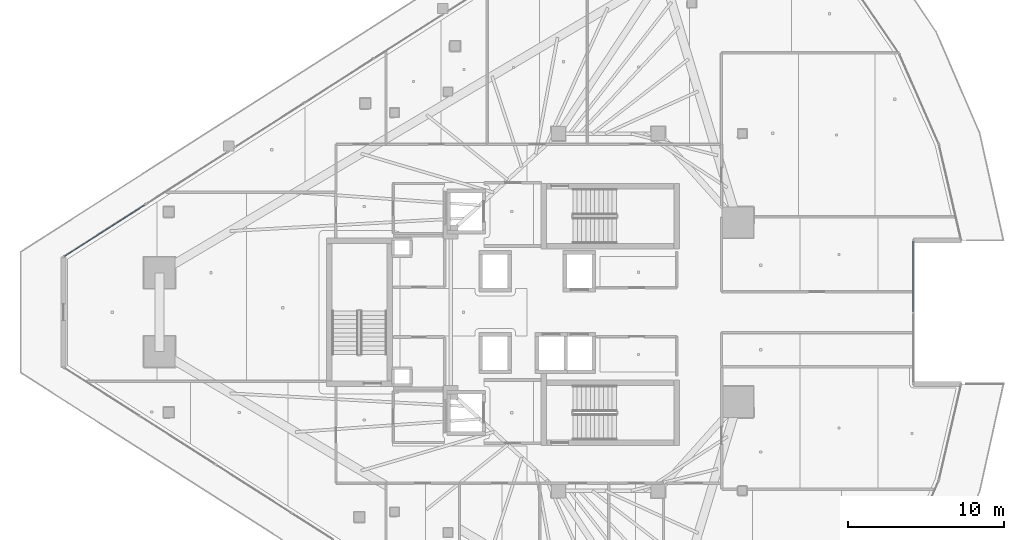
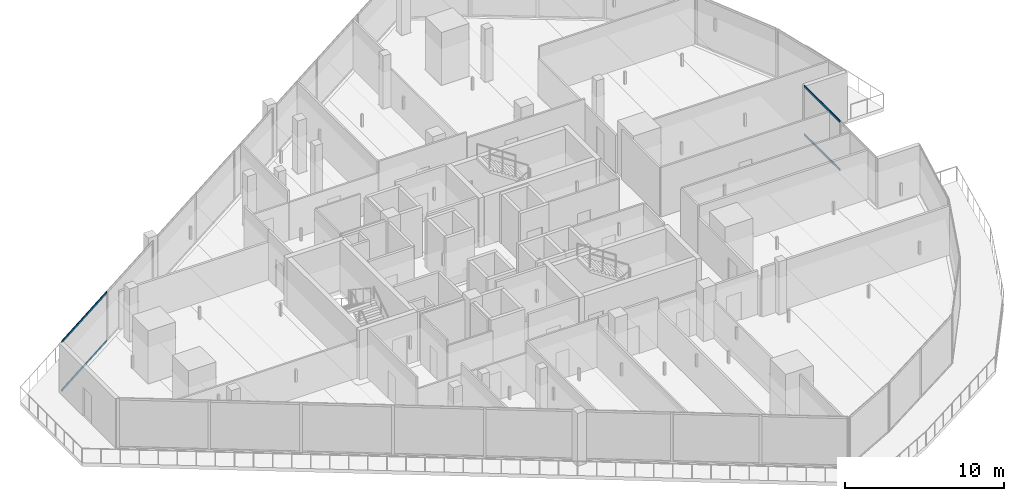
# One storey, part 14 of 37: 4 members, 2 elements without a shape of their own.
"""IFC4 building model written with IfcOpenShell, lengths in metres."""

from ifc_helpers import new_model, si_unit, direction, frame, origin, origin_2d, place, context, subcontext, project, spatial, hollow_rectangle, extrude, material, layer, layer_set, material_profile, profile_set, type_object, element, aggregate, save


model = new_model("IFC4")

# Units and contexts
model_context = context("Model", 3, precision=1e-05, world=origin(), true_north=direction((0.0, 1.0)))
body_context = subcontext(model_context, "Body", "Model", "MODEL_VIEW")
ifc_project = project(units=[si_unit("LENGTHUNIT", "METRE"), si_unit("AREAUNIT", "SQUARE_METRE"), si_unit("VOLUMEUNIT", "CUBIC_METRE"), si_unit("PLANEANGLEUNIT", "RADIAN"), si_unit("MASSUNIT", "GRAM", prefix="KILO")], contexts=[model_context])

# Site, building, storey
site_placement = place(None, origin())
site = spatial("IfcSite", under=ifc_project, at=site_placement, CompositionType="ELEMENT")
building_placement = place(site_placement, origin())
building = spatial("IfcBuilding", under=site, at=building_placement, Name="Qorvath Tower", CompositionType="ELEMENT")
storey_placement = place(building_placement, frame((0.0, 0.0, 188.85009765625)))
storey = spatial("IfcBuildingStorey", under=building, at=storey_placement, Name="L43", CompositionType="ELEMENT", Elevation=188.85009765625)

# Curtain wall, members
ifc_material_1 = material(Name="Anodised aluminium and triple low-E glass", Category="aluminium")
ifc_layer = layer(ifc_material_1, 0.179931640625)
ifc_layer_set = layer_set([ifc_layer], Name="CW-SYS-3")
curtain_wall_type = type_object("IfcCurtainWallType", Name="CW-SYS-3", PredefinedType="NOTDEFINED", material=ifc_layer_set)
curtain_wall_1_placement = place(storey_placement, origin())
curtain_wall_1 = element("IfcCurtainWall", 1, at=curtain_wall_1_placement, inside=storey, type_object=curtain_wall_type, Name="Curtain Wall CW-3 CW-T-L43-9.1", PredefinedType="NOTDEFINED")
ifc_material_2 = material(Name="Anodised aluminium 6063-T6", Category="aluminium")
ifc_material_profile = material_profile(ifc_material_2, hollow_rectangle(XDim=0.06494140625, YDim=0.159912109375, WallThickness=0.00341796875, InnerFilletRadius=0.00341796875, OuterFilletRadius=0.007080078125, at=origin_2d()), Name="CWT 160x65")
ifc_profile_set = profile_set([ifc_material_profile], Name="Anodised aluminium 6063-T6")
member_type = type_object("IfcMemberType", Name="CWT-160", PredefinedType="USERDEFINED", material=ifc_profile_set)
member_1_placement = place(storey_placement, frame((-0.83837890625, 0.032470703125, 0.032470703125), z_axis=(0.0, 1.0, 0.0), x_axis=(-1.0, 0.0, 0.0)))
member_1 = element("IfcMember", 2, at=member_1_placement, type_object=member_type, Name="CW-3 transom 2.1", ObjectType="TRANSOM", PredefinedType="USERDEFINED", context=body_context, shape_type="SweptSolid", body=[
    extrude(hollow_rectangle(XDim=0.06494140625, YDim=0.159912109375, WallThickness=0.00341796875, InnerFilletRadius=0.00341796875, OuterFilletRadius=0.007080078125, at=origin_2d()), origin(), (0.0, 0.0, 1.0), 4.50341796875),
])
member_2_placement = place(storey_placement, frame((-0.83837890625, 0.032470703125, 3.747314453125), z_axis=(0.0, 1.0, 0.0), x_axis=(-1.0, 0.0, 0.0)))
member_2 = element("IfcMember", 3, at=member_2_placement, type_object=member_type, Name="CW-3 transom 2.2", ObjectType="TRANSOM", PredefinedType="USERDEFINED", context=body_context, shape_type="SweptSolid", body=[
    extrude(hollow_rectangle(XDim=0.06494140625, YDim=0.159912109375, WallThickness=0.00341796875, InnerFilletRadius=0.00341796875, OuterFilletRadius=0.007080078125, at=origin_2d()), origin(), (0.0, 0.0, 1.0), 4.50341796875),
])
aggregate(curtain_wall_1, [member_1, member_2])

curtain_wall_2_placement = place(storey_placement, origin())
curtain_wall_2 = element("IfcCurtainWall", 4, at=curtain_wall_2_placement, inside=storey, type_object=curtain_wall_type, Name="Curtain Wall CW-3 CW-T-L43-16.3", PredefinedType="NOTDEFINED")
member_3_placement = place(storey_placement, frame((-50.080322265625, 6.893310546875, 0.032470703125), z_axis=(-0.842627354039, -0.538497114408, 0.0), x_axis=(0.538497114408, -0.842627354039, 0.0)))
member_3 = element("IfcMember", 5, at=member_3_placement, type_object=member_type, Name="CW-3 transom 2.1", ObjectType="TRANSOM", PredefinedType="USERDEFINED", context=body_context, shape_type="SweptSolid", body=[
    extrude(hollow_rectangle(XDim=0.06494140625, YDim=0.159912109375, WallThickness=0.00341796875, InnerFilletRadius=0.00341796875, OuterFilletRadius=0.007080078125, at=origin_2d()), origin(), (0.0, 0.0, 1.0), 6.16259765625),
])
member_4_placement = place(storey_placement, frame((-50.080322265625, 6.893310546875, 3.747314453125), z_axis=(-0.842627354039, -0.538497114408, 0.0), x_axis=(0.538497114408, -0.842627354039, 0.0)))
member_4 = element("IfcMember", 6, at=member_4_placement, type_object=member_type, Name="CW-3 transom 2.2", ObjectType="TRANSOM", PredefinedType="USERDEFINED", context=body_context, shape_type="SweptSolid", body=[
    extrude(hollow_rectangle(XDim=0.06494140625, YDim=0.159912109375, WallThickness=0.00341796875, InnerFilletRadius=0.00341796875, OuterFilletRadius=0.007080078125, at=origin_2d()), origin(), (0.0, 0.0, 1.0), 6.16259765625),
])
aggregate(curtain_wall_2, [member_3, member_4])

save(model, "model.ifc")
